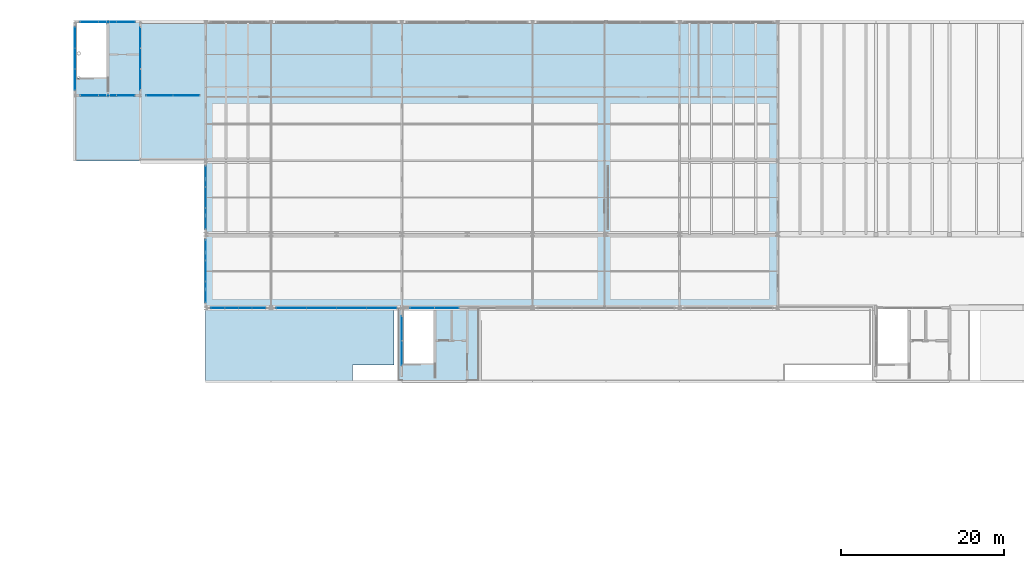
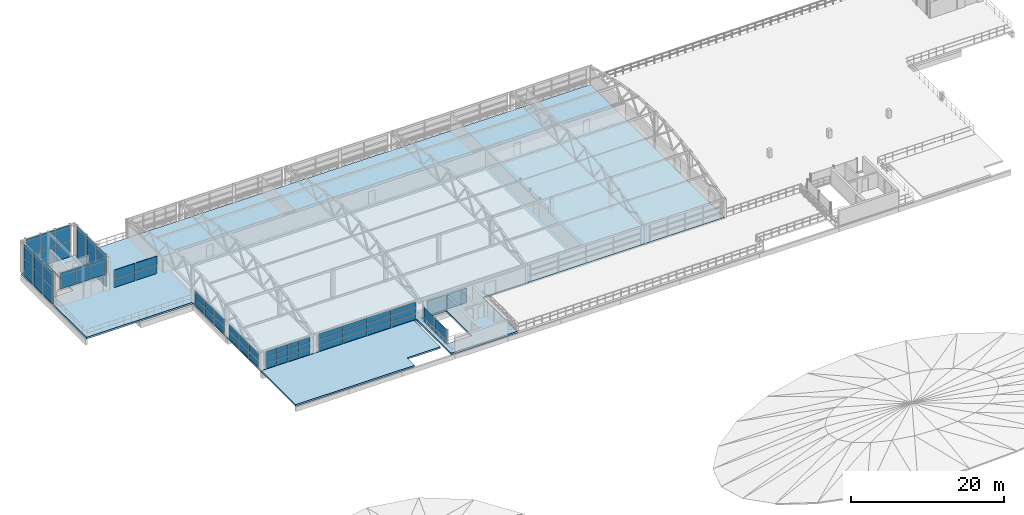
# One storey, part 27 of 50: 62 plates, 2 slabs, 11 elements without a shape of their own.
"""IFC4 building model written with IfcOpenShell, lengths in metres."""

from ifc_helpers import new_model, si_unit, derived_unit, direction, frame, origin, origin_2d, place, context, subcontext, project, spatial, polyline, rectangle, outline, extrude, material, layer, layer_set, type_object, element, aggregate, save


model = new_model("IFC4")

# Units and contexts
model_context = context("Model", 3, precision=1e-05, world=origin(), true_north=direction((0.0, 1.0)))
body_context = subcontext(model_context, "Body", "Model", "MODEL_VIEW")
ifc_project = project(units=[si_unit("LENGTHUNIT", "METRE"), si_unit("AREAUNIT", "SQUARE_METRE"), si_unit("VOLUMEUNIT", "CUBIC_METRE"), si_unit("PLANEANGLEUNIT", "RADIAN"), si_unit("MASSUNIT", "GRAM", prefix="KILO"), si_unit("THERMODYNAMICTEMPERATUREUNIT", "KELVIN"), derived_unit("THERMALTRANSMITTANCEUNIT", [(si_unit("POWERUNIT", "WATT"), 1), (si_unit("AREAUNIT", "SQUARE_METRE"), -1), (si_unit("THERMODYNAMICTEMPERATUREUNIT", "KELVIN"), -1)])], contexts=[model_context])

# Site, building, storey
site_placement = place(None, origin())
site = spatial("IfcSite", under=ifc_project, at=site_placement, CompositionType="ELEMENT")
building_placement = place(site_placement, origin())
building = spatial("IfcBuilding", under=site, at=building_placement, Name="Haiyu Intermodal Mobility Hub", CompositionType="ELEMENT")
storey_placement = place(building_placement, frame((0.0, 0.0, 25.10009765625)))
storey = spatial("IfcBuildingStorey", under=building, at=storey_placement, Name="L06", CompositionType="ELEMENT", Elevation=25.10009765625)

# Curtain wall, plates
ifc_material_1 = material(Name="Low-e laminated insulating glass", Category="glass")
ifc_layer_1 = layer(ifc_material_1, 0.22998046875)
ifc_layer_set_1 = layer_set([ifc_layer_1], Name="Low-e laminated insulating glass")
curtain_wall_type_1 = type_object("IfcCurtainWallType", Name="CW-CW05", PredefinedType="NOTDEFINED", material=ifc_layer_set_1)
curtain_wall_1_placement = place(storey_placement, origin())
curtain_wall_1 = element("IfcCurtainWall", 1, at=curtain_wall_1_placement, inside=storey, type_object=curtain_wall_type_1, Name="Curtain Wall CW-V3W-077", PredefinedType="NOTDEFINED")
ifc_layer_2 = layer(ifc_material_1, 0.035888671875)
ifc_layer_set_2 = layer_set([ifc_layer_2], Name="Low-e laminated insulating glass")
plate_type_1 = type_object("IfcPlateType", Name="PLT-CP01", PredefinedType="CURTAIN_PANEL", material=ifc_layer_set_2)
plate_1_placement = place(storey_placement, frame((38.0, 120.06005859375, 0.035400390625), z_axis=(0.0, 0.0, 1.0), x_axis=(0.0, -1.0, 0.0)))
plate_1 = element("IfcPlate", 2, at=plate_1_placement, type_object=plate_type_1, Name="CW-V3W-077-PN01", PredefinedType="CURTAIN_PANEL", context=body_context, shape_type="SweptSolid", body=[
    extrude(rectangle(XDim=2.469970703125, YDim=0.035888671875, at=origin_2d()), origin(), (0.0, 0.0, 1.0), 1.10498046875),
])
plate_2_placement = place(storey_placement, frame((38.0, 117.5, 0.035400390625), z_axis=(0.0, 0.0, 1.0), x_axis=(0.0, -1.0, 0.0)))
plate_2 = element("IfcPlate", 3, at=plate_2_placement, type_object=plate_type_1, Name="CW-V3W-077-PN03", PredefinedType="CURTAIN_PANEL", context=body_context, shape_type="SweptSolid", body=[
    extrude(rectangle(XDim=2.469970703125, YDim=0.035888671875, at=origin_2d()), origin(), (0.0, 0.0, 1.0), 1.10498046875),
])
plate_3_placement = place(storey_placement, frame((38.0, 114.93994140625, 0.035400390625), z_axis=(0.0, 0.0, 1.0), x_axis=(0.0, -1.0, 0.0)))
plate_3 = element("IfcPlate", 4, at=plate_3_placement, type_object=plate_type_1, Name="CW-V3W-077-PN05", PredefinedType="CURTAIN_PANEL", context=body_context, shape_type="SweptSolid", body=[
    extrude(rectangle(XDim=2.469970703125, YDim=0.035888671875, at=origin_2d()), origin(), (0.0, 0.0, 1.0), 1.10498046875),
])

curtain_wall_2_placement = place(storey_placement, origin())
curtain_wall_2 = element("IfcCurtainWall", 5, at=curtain_wall_2_placement, inside=storey, type_object=curtain_wall_type_1, Name="Curtain Wall CW-V3W-078", PredefinedType="NOTDEFINED")
plate_4_placement = place(storey_placement, frame((38.0, 129.06005859375, 0.035400390625), z_axis=(0.0, 0.0, 1.0), x_axis=(0.0, -1.0, 0.0)))
plate_4 = element("IfcPlate", 6, at=plate_4_placement, type_object=plate_type_1, Name="CW-V3W-078-PN01", PredefinedType="CURTAIN_PANEL", context=body_context, shape_type="SweptSolid", body=[
    extrude(rectangle(XDim=2.469970703125, YDim=0.035888671875, at=origin_2d()), origin(), (0.0, 0.0, 1.0), 1.10498046875),
])
plate_5_placement = place(storey_placement, frame((38.0, 126.5, 0.035400390625), z_axis=(0.0, 0.0, 1.0), x_axis=(0.0, -1.0, 0.0)))
plate_5 = element("IfcPlate", 7, at=plate_5_placement, type_object=plate_type_1, Name="CW-V3W-078-PN03", PredefinedType="CURTAIN_PANEL", context=body_context, shape_type="SweptSolid", body=[
    extrude(rectangle(XDim=2.469970703125, YDim=0.035888671875, at=origin_2d()), origin(), (0.0, 0.0, 1.0), 1.10498046875),
])
plate_6_placement = place(storey_placement, frame((38.0, 123.93994140625, 0.035400390625), z_axis=(0.0, 0.0, 1.0), x_axis=(0.0, -1.0, 0.0)))
plate_6 = element("IfcPlate", 8, at=plate_6_placement, type_object=plate_type_1, Name="CW-V3W-078-PN05", PredefinedType="CURTAIN_PANEL", context=body_context, shape_type="SweptSolid", body=[
    extrude(rectangle(XDim=2.469970703125, YDim=0.035888671875, at=origin_2d()), origin(), (0.0, 0.0, 1.0), 1.10498046875),
])

curtain_wall_3_placement = place(storey_placement, origin())
curtain_wall_3 = element("IfcCurtainWall", 9, at=curtain_wall_3_placement, inside=storey, type_object=curtain_wall_type_1, Name="Curtain Wall CW-V3LINK-187", PredefinedType="NOTDEFINED")
plate_7_placement = place(storey_placement, frame((32.3701171875, 139.0, 0.034423828125), z_axis=(0.0, 0.0, 1.0), x_axis=(1.0, 0.0, 0.0)))
plate_7 = element("IfcPlate", 10, at=plate_7_placement, type_object=plate_type_1, Name="CW-V3LINK-187-PN01", PredefinedType="CURTAIN_PANEL", context=body_context, shape_type="SweptSolid", body=[
    extrude(rectangle(XDim=3.169921875, YDim=0.035888671875, at=origin_2d()), origin(), (0.0, 0.0, 1.0), 1.35498046875),
])
plate_8_placement = place(storey_placement, frame((35.6298828125, 139.0, 0.034423828125), z_axis=(0.0, 0.0, 1.0), x_axis=(1.0, 0.0, 0.0)))
plate_8 = element("IfcPlate", 11, at=plate_8_placement, type_object=plate_type_1, Name="CW-V3LINK-187-PN03", PredefinedType="CURTAIN_PANEL", context=body_context, shape_type="SweptSolid", body=[
    extrude(rectangle(XDim=3.169921875, YDim=0.035888671875, at=origin_2d()), origin(), (0.0, 0.0, 1.0), 1.35498046875),
])

ifc_layer_3 = layer(ifc_material_1, 0.199951171875)
ifc_layer_set_3 = layer_set([ifc_layer_3], Name="Low-e laminated insulating glass")
curtain_wall_type_2 = type_object("IfcCurtainWallType", Name="CW-CW03", PredefinedType="NOTDEFINED", material=ifc_layer_set_3)
curtain_wall_4_placement = place(storey_placement, origin())
curtain_wall_4 = element("IfcCurtainWall", 12, at=curtain_wall_4_placement, inside=storey, type_object=curtain_wall_type_2, Name="Curtain Wall CW-C3N-L06-061", PredefinedType="NOTDEFINED")
ifc_layer_4 = layer(ifc_material_1, 0.0400390625)
ifc_layer_set_4 = layer_set([ifc_layer_4], Name="Low-e laminated insulating glass")
plate_type_2 = type_object("IfcPlateType", Name="PLT-CP03", PredefinedType="CURTAIN_PANEL", material=ifc_layer_set_4)
plate_9_placement = place(storey_placement, frame((28.22705078125, 148.0, 0.035400390625), z_axis=(0.0, 0.0, 1.0), x_axis=(-1.0, 0.0, 0.0)))
plate_9 = element("IfcPlate", 13, at=plate_9_placement, type_object=plate_type_2, Name="CW-C3N-L06-061-PN01", PredefinedType="CURTAIN_PANEL", context=body_context, shape_type="SweptSolid", body=[
    extrude(rectangle(XDim=2.136962890625, YDim=0.0400390625, at=origin_2d()), origin(), (0.0, 0.0, 1.0), 2.5048828125),
])
plate_10_placement = place(storey_placement, frame((26.0, 148.0, 0.035400390625), z_axis=(0.0, 0.0, 1.0), x_axis=(-1.0, 0.0, 0.0)))
plate_10 = element("IfcPlate", 14, at=plate_10_placement, type_object=plate_type_2, Name="CW-C3N-L06-061-PN03", PredefinedType="CURTAIN_PANEL", context=body_context, shape_type="SweptSolid", body=[
    extrude(rectangle(XDim=2.136962890625, YDim=0.0400390625, at=origin_2d()), origin(), (0.0, 0.0, 1.0), 2.5048828125),
])
plate_11_placement = place(storey_placement, frame((23.77294921875, 148.0, 0.035400390625), z_axis=(0.0, 0.0, 1.0), x_axis=(-1.0, 0.0, 0.0)))
plate_11 = element("IfcPlate", 15, at=plate_11_placement, type_object=plate_type_2, Name="CW-C3N-L06-061-PN05", PredefinedType="CURTAIN_PANEL", context=body_context, shape_type="SweptSolid", body=[
    extrude(rectangle(XDim=2.136962890625, YDim=0.0400390625, at=origin_2d()), origin(), (0.0, 0.0, 1.0), 2.5048828125),
])

curtain_wall_5_placement = place(storey_placement, origin())
curtain_wall_5 = element("IfcCurtainWall", 16, at=curtain_wall_5_placement, inside=storey, type_object=curtain_wall_type_2, Name="Curtain Wall CW-C3S-L06-062", PredefinedType="NOTDEFINED")
plate_12_placement = place(storey_placement, frame((22.0, 146.06005859375, 0.035400390625), z_axis=(0.0, 0.0, 1.0), x_axis=(0.0, -1.0, 0.0)))
plate_12 = element("IfcPlate", 17, at=plate_12_placement, type_object=plate_type_2, Name="CW-C3S-L06-062-PN01", PredefinedType="CURTAIN_PANEL", context=body_context, shape_type="SweptSolid", body=[
    extrude(rectangle(XDim=2.469970703125, YDim=0.0400390625, at=origin_2d()), origin(), (0.0, 0.0, 1.0), 2.5048828125),
])
plate_13_placement = place(storey_placement, frame((22.0, 143.5, 0.035400390625), z_axis=(0.0, 0.0, 1.0), x_axis=(0.0, -1.0, 0.0)))
plate_13 = element("IfcPlate", 18, at=plate_13_placement, type_object=plate_type_2, Name="CW-C3S-L06-062-PN03", PredefinedType="CURTAIN_PANEL", context=body_context, shape_type="SweptSolid", body=[
    extrude(rectangle(XDim=2.469970703125, YDim=0.0400390625, at=origin_2d()), origin(), (0.0, 0.0, 1.0), 2.5048828125),
])
plate_14_placement = place(storey_placement, frame((22.0, 140.93994140625, 0.035400390625), z_axis=(0.0, 0.0, 1.0), x_axis=(0.0, -1.0, 0.0)))
plate_14 = element("IfcPlate", 19, at=plate_14_placement, type_object=plate_type_2, Name="CW-C3S-L06-062-PN05", PredefinedType="CURTAIN_PANEL", context=body_context, shape_type="SweptSolid", body=[
    extrude(rectangle(XDim=2.469970703125, YDim=0.0400390625, at=origin_2d()), origin(), (0.0, 0.0, 1.0), 2.5048828125),
])

curtain_wall_6_placement = place(storey_placement, origin())
curtain_wall_6 = element("IfcCurtainWall", 20, at=curtain_wall_6_placement, inside=storey, type_object=curtain_wall_type_1, Name="Curtain Wall CW-V3S-155", PredefinedType="NOTDEFINED")
plate_15_placement = place(storey_placement, frame((39.4951171875, 113.0, 0.034912109375), z_axis=(0.0, 0.0, 1.0), x_axis=(1.0, 0.0, 0.0)))
plate_15 = element("IfcPlate", 21, at=plate_15_placement, type_object=plate_type_2, Name="CW-V3S-155-PN01", PredefinedType="CURTAIN_PANEL", context=body_context, shape_type="SweptSolid", body=[
    extrude(rectangle(XDim=1.580078125, YDim=0.0400390625, at=origin_2d()), origin(), (0.0, 0.0, 1.0), 0.8798828125),
])
plate_16_placement = place(storey_placement, frame((39.4951171875, 113.0, 0.98486328125), z_axis=(0.0, 0.0, 1.0), x_axis=(1.0, 0.0, 0.0)))
plate_16 = element("IfcPlate", 22, at=plate_16_placement, type_object=plate_type_2, Name="CW-V3S-155-PN02", PredefinedType="CURTAIN_PANEL", context=body_context, shape_type="SweptSolid", body=[
    extrude(rectangle(XDim=1.580078125, YDim=0.0400390625, at=origin_2d()), origin(), (0.0, 0.0, 1.0), 0.8798828125),
])
plate_17_placement = place(storey_placement, frame((41.1650390625, 113.0, 0.034912109375), z_axis=(0.0, 0.0, 1.0), x_axis=(1.0, 0.0, 0.0)))
plate_17 = element("IfcPlate", 23, at=plate_17_placement, type_object=plate_type_2, Name="CW-V3S-155-PN04", PredefinedType="CURTAIN_PANEL", context=body_context, shape_type="SweptSolid", body=[
    extrude(rectangle(XDim=1.580078125, YDim=0.0400390625, at=origin_2d()), origin(), (0.0, 0.0, 1.0), 0.8798828125),
])
plate_18_placement = place(storey_placement, frame((41.1650390625, 113.0, 0.98486328125), z_axis=(0.0, 0.0, 1.0), x_axis=(1.0, 0.0, 0.0)))
plate_18 = element("IfcPlate", 24, at=plate_18_placement, type_object=plate_type_2, Name="CW-V3S-155-PN05", PredefinedType="CURTAIN_PANEL", context=body_context, shape_type="SweptSolid", body=[
    extrude(rectangle(XDim=1.580078125, YDim=0.0400390625, at=origin_2d()), origin(), (0.0, 0.0, 1.0), 0.8798828125),
])
plate_19_placement = place(storey_placement, frame((42.8349609375, 113.0, 0.034912109375), z_axis=(0.0, 0.0, 1.0), x_axis=(1.0, 0.0, 0.0)))
plate_19 = element("IfcPlate", 25, at=plate_19_placement, type_object=plate_type_2, Name="CW-V3S-155-PN07", PredefinedType="CURTAIN_PANEL", context=body_context, shape_type="SweptSolid", body=[
    extrude(rectangle(XDim=1.580078125, YDim=0.0400390625, at=origin_2d()), origin(), (0.0, 0.0, 1.0), 0.8798828125),
])
plate_20_placement = place(storey_placement, frame((42.8349609375, 113.0, 0.98486328125), z_axis=(0.0, 0.0, 1.0), x_axis=(1.0, 0.0, 0.0)))
plate_20 = element("IfcPlate", 26, at=plate_20_placement, type_object=plate_type_2, Name="CW-V3S-155-PN08", PredefinedType="CURTAIN_PANEL", context=body_context, shape_type="SweptSolid", body=[
    extrude(rectangle(XDim=1.580078125, YDim=0.0400390625, at=origin_2d()), origin(), (0.0, 0.0, 1.0), 0.8798828125),
])
plate_21_placement = place(storey_placement, frame((44.5048828125, 113.0, 0.034912109375), z_axis=(0.0, 0.0, 1.0), x_axis=(1.0, 0.0, 0.0)))
plate_21 = element("IfcPlate", 27, at=plate_21_placement, type_object=plate_type_2, Name="CW-V3S-155-PN10", PredefinedType="CURTAIN_PANEL", context=body_context, shape_type="SweptSolid", body=[
    extrude(rectangle(XDim=1.580078125, YDim=0.0400390625, at=origin_2d()), origin(), (0.0, 0.0, 1.0), 0.8798828125),
])
plate_22_placement = place(storey_placement, frame((44.5048828125, 113.0, 0.98486328125), z_axis=(0.0, 0.0, 1.0), x_axis=(1.0, 0.0, 0.0)))
plate_22 = element("IfcPlate", 28, at=plate_22_placement, type_object=plate_type_2, Name="CW-V3S-155-PN11", PredefinedType="CURTAIN_PANEL", context=body_context, shape_type="SweptSolid", body=[
    extrude(rectangle(XDim=1.580078125, YDim=0.0400390625, at=origin_2d()), origin(), (0.0, 0.0, 1.0), 0.8798828125),
])

curtain_wall_7_placement = place(storey_placement, origin())
curtain_wall_7 = element("IfcCurtainWall", 29, at=curtain_wall_7_placement, inside=storey, type_object=curtain_wall_type_1, Name="Curtain Wall CW-V3S-157", PredefinedType="NOTDEFINED")
plate_23_placement = place(storey_placement, frame((48.4951171875, 113.0, 0.034912109375), z_axis=(0.0, 0.0, 1.0), x_axis=(1.0, 0.0, 0.0)))
plate_23 = element("IfcPlate", 30, at=plate_23_placement, type_object=plate_type_2, Name="CW-V3S-157-PN01", PredefinedType="CURTAIN_PANEL", context=body_context, shape_type="SweptSolid", body=[
    extrude(rectangle(XDim=3.580078125, YDim=0.0400390625, at=origin_2d()), origin(), (0.0, 0.0, 1.0), 0.8798828125),
])
plate_24_placement = place(storey_placement, frame((48.4951171875, 113.0, 0.98486328125), z_axis=(0.0, 0.0, 1.0), x_axis=(1.0, 0.0, 0.0)))
plate_24 = element("IfcPlate", 31, at=plate_24_placement, type_object=plate_type_2, Name="CW-V3S-157-PN02", PredefinedType="CURTAIN_PANEL", context=body_context, shape_type="SweptSolid", body=[
    extrude(rectangle(XDim=3.580078125, YDim=0.0400390625, at=origin_2d()), origin(), (0.0, 0.0, 1.0), 0.8798828125),
])
plate_25_placement = place(storey_placement, frame((52.1650390625, 113.0, 0.034912109375), z_axis=(0.0, 0.0, 1.0), x_axis=(1.0, 0.0, 0.0)))
plate_25 = element("IfcPlate", 32, at=plate_25_placement, type_object=plate_type_2, Name="CW-V3S-157-PN04", PredefinedType="CURTAIN_PANEL", context=body_context, shape_type="SweptSolid", body=[
    extrude(rectangle(XDim=3.580078125, YDim=0.0400390625, at=origin_2d()), origin(), (0.0, 0.0, 1.0), 0.8798828125),
])
plate_26_placement = place(storey_placement, frame((52.1650390625, 113.0, 0.98486328125), z_axis=(0.0, 0.0, 1.0), x_axis=(1.0, 0.0, 0.0)))
plate_26 = element("IfcPlate", 33, at=plate_26_placement, type_object=plate_type_2, Name="CW-V3S-157-PN05", PredefinedType="CURTAIN_PANEL", context=body_context, shape_type="SweptSolid", body=[
    extrude(rectangle(XDim=3.580078125, YDim=0.0400390625, at=origin_2d()), origin(), (0.0, 0.0, 1.0), 0.8798828125),
])
plate_27_placement = place(storey_placement, frame((55.8349609375, 113.0, 0.034912109375), z_axis=(0.0, 0.0, 1.0), x_axis=(1.0, 0.0, 0.0)))
plate_27 = element("IfcPlate", 34, at=plate_27_placement, type_object=plate_type_2, Name="CW-V3S-157-PN07", PredefinedType="CURTAIN_PANEL", context=body_context, shape_type="SweptSolid", body=[
    extrude(rectangle(XDim=3.580078125, YDim=0.0400390625, at=origin_2d()), origin(), (0.0, 0.0, 1.0), 0.8798828125),
])
plate_28_placement = place(storey_placement, frame((55.8349609375, 113.0, 0.98486328125), z_axis=(0.0, 0.0, 1.0), x_axis=(1.0, 0.0, 0.0)))
plate_28 = element("IfcPlate", 35, at=plate_28_placement, type_object=plate_type_2, Name="CW-V3S-157-PN08", PredefinedType="CURTAIN_PANEL", context=body_context, shape_type="SweptSolid", body=[
    extrude(rectangle(XDim=3.580078125, YDim=0.0400390625, at=origin_2d()), origin(), (0.0, 0.0, 1.0), 0.8798828125),
])
plate_29_placement = place(storey_placement, frame((59.5048828125, 113.0, 0.034912109375), z_axis=(0.0, 0.0, 1.0), x_axis=(1.0, 0.0, 0.0)))
plate_29 = element("IfcPlate", 36, at=plate_29_placement, type_object=plate_type_2, Name="CW-V3S-157-PN10", PredefinedType="CURTAIN_PANEL", context=body_context, shape_type="SweptSolid", body=[
    extrude(rectangle(XDim=3.580078125, YDim=0.0400390625, at=origin_2d()), origin(), (0.0, 0.0, 1.0), 0.8798828125),
])
plate_30_placement = place(storey_placement, frame((59.5048828125, 113.0, 0.98486328125), z_axis=(0.0, 0.0, 1.0), x_axis=(1.0, 0.0, 0.0)))
plate_30 = element("IfcPlate", 37, at=plate_30_placement, type_object=plate_type_2, Name="CW-V3S-157-PN11", PredefinedType="CURTAIN_PANEL", context=body_context, shape_type="SweptSolid", body=[
    extrude(rectangle(XDim=3.580078125, YDim=0.0400390625, at=origin_2d()), origin(), (0.0, 0.0, 1.0), 0.8798828125),
])

curtain_wall_8_placement = place(storey_placement, origin())
curtain_wall_8 = element("IfcCurtainWall", 38, at=curtain_wall_8_placement, inside=storey, type_object=curtain_wall_type_2, Name="Curtain Wall CW-CGLZ-C3-1", PredefinedType="NOTDEFINED")
plate_31_placement = place(storey_placement, frame((30.0, 140.93994140625, 0.03466796875), z_axis=(0.0, 0.0, 1.0), x_axis=(0.0, 1.0, 0.0)))
plate_31 = element("IfcPlate", 39, at=plate_31_placement, type_object=plate_type_2, Name="CW-CGLZ-C3-1-PN01", PredefinedType="CURTAIN_PANEL", context=body_context, shape_type="SweptSolid", body=[
    extrude(rectangle(XDim=2.469970703125, YDim=0.0400390625, at=origin_2d()), origin(), (0.0, 0.0, 1.0), 5.110107421875),
])
plate_32_placement = place(storey_placement, frame((30.0, 143.5, 0.03466796875), z_axis=(0.0, 0.0, 1.0), x_axis=(0.0, 1.0, 0.0)))
plate_32 = element("IfcPlate", 40, at=plate_32_placement, type_object=plate_type_2, Name="CW-CGLZ-C3-1-PN02", PredefinedType="CURTAIN_PANEL", context=body_context, shape_type="SweptSolid", body=[
    extrude(rectangle(XDim=2.469970703125, YDim=0.0400390625, at=origin_2d()), origin(), (0.0, 0.0, 1.0), 5.110107421875),
])
plate_33_placement = place(storey_placement, frame((30.0, 146.06005859375, 0.03466796875), z_axis=(0.0, 0.0, 1.0), x_axis=(0.0, 1.0, 0.0)))
plate_33 = element("IfcPlate", 41, at=plate_33_placement, type_object=plate_type_2, Name="CW-CGLZ-C3-1-PN03", PredefinedType="CURTAIN_PANEL", context=body_context, shape_type="SweptSolid", body=[
    extrude(rectangle(XDim=2.469970703125, YDim=0.0400390625, at=origin_2d()), origin(), (0.0, 0.0, 1.0), 5.110107421875),
])
aggregate(curtain_wall_8, [plate_31, plate_32, plate_33])

curtain_wall_9_placement = place(storey_placement, origin())
curtain_wall_9 = element("IfcCurtainWall", 42, at=curtain_wall_9_placement, inside=storey, type_object=curtain_wall_type_2, Name="Curtain Wall CW-CGLZ-C3-2", PredefinedType="NOTDEFINED")
plate_34_placement = place(storey_placement, frame((23.77294921875, 139.0, 2.61474609375), z_axis=(0.0, 0.0, 1.0), x_axis=(1.0, 0.0, 0.0)))
plate_34 = element("IfcPlate", 43, at=plate_34_placement, type_object=plate_type_2, Name="CW-CGLZ-C3-2-PN01", PredefinedType="CURTAIN_PANEL", context=body_context, shape_type="SweptSolid", body=[
    extrude(rectangle(XDim=2.136962890625, YDim=0.0400390625, at=origin_2d()), origin(), (0.0, 0.0, 1.0), 2.530029296875),
])
plate_35_placement = place(storey_placement, frame((26.0, 139.0, 2.61474609375), z_axis=(0.0, 0.0, 1.0), x_axis=(1.0, 0.0, 0.0)))
plate_35 = element("IfcPlate", 44, at=plate_35_placement, type_object=plate_type_2, Name="CW-CGLZ-C3-2-PN02", PredefinedType="CURTAIN_PANEL", context=body_context, shape_type="SweptSolid", body=[
    extrude(rectangle(XDim=2.136962890625, YDim=0.0400390625, at=origin_2d()), origin(), (0.0, 0.0, 1.0), 2.530029296875),
])
plate_36_placement = place(storey_placement, frame((28.22705078125, 139.0, 2.61474609375), z_axis=(0.0, 0.0, 1.0), x_axis=(1.0, 0.0, 0.0)))
plate_36 = element("IfcPlate", 45, at=plate_36_placement, type_object=plate_type_2, Name="CW-CGLZ-C3-2-PN03", PredefinedType="CURTAIN_PANEL", context=body_context, shape_type="SweptSolid", body=[
    extrude(rectangle(XDim=2.136962890625, YDim=0.0400390625, at=origin_2d()), origin(), (0.0, 0.0, 1.0), 2.530029296875),
])
aggregate(curtain_wall_9, [plate_34, plate_35, plate_36])

curtain_wall_10_placement = place(storey_placement, origin())
curtain_wall_10 = element("IfcCurtainWall", 46, at=curtain_wall_10_placement, inside=storey, type_object=curtain_wall_type_2, Name="Curtain Wall CW-CPAR-C5-N", PredefinedType="NOTDEFINED")
plate_37_placement = place(storey_placement, frame((67.5048828125, 113.0, 0.034423828125), z_axis=(0.0, 0.0, 1.0), x_axis=(-1.0, 0.0, 0.0)))
plate_37 = element("IfcPlate", 47, at=plate_37_placement, type_object=plate_type_2, Name="CW-CPAR-C5-N-PN01", PredefinedType="CURTAIN_PANEL", context=body_context, shape_type="SweptSolid", body=[
    extrude(rectangle(XDim=2.919921875, YDim=0.0400390625, at=origin_2d()), origin(), (0.0, 0.0, 1.0), 2.31103515625),
])
plate_38_placement = place(storey_placement, frame((64.4951171875, 113.0, 0.034423828125), z_axis=(0.0, 0.0, 1.0), x_axis=(-1.0, 0.0, 0.0)))
plate_38 = element("IfcPlate", 48, at=plate_38_placement, type_object=plate_type_2, Name="CW-CPAR-C5-N-PN02", PredefinedType="CURTAIN_PANEL", context=body_context, shape_type="SweptSolid", body=[
    extrude(rectangle(XDim=2.919921875, YDim=0.0400390625, at=origin_2d()), origin(), (0.0, 0.0, 1.0), 2.31103515625),
])
aggregate(curtain_wall_10, [plate_37, plate_38])

curtain_wall_11_placement = place(storey_placement, origin())
curtain_wall_11 = element("IfcCurtainWall", 49, at=curtain_wall_11_placement, inside=storey, type_object=curtain_wall_type_2, Name="Curtain Wall CW-CPAR-C5-W", PredefinedType="NOTDEFINED")
plate_39_placement = place(storey_placement, frame((62.0, 110.491943359375, 0.034423828125), z_axis=(0.0, 0.0, 1.0), x_axis=(0.0, -1.0, 0.0)))
plate_39 = element("IfcPlate", 50, at=plate_39_placement, type_object=plate_type_2, Name="CW-CPAR-C5-W-PN01", PredefinedType="CURTAIN_PANEL", context=body_context, shape_type="SweptSolid", body=[
    extrude(rectangle(XDim=2.945068359375, YDim=0.0400390625, at=origin_2d()), origin(), (0.0, 0.0, 1.0), 2.31103515625),
])
plate_40_placement = place(storey_placement, frame((62.0, 107.4580078125, 0.034423828125), z_axis=(0.0, 0.0, 1.0), x_axis=(0.0, -1.0, 0.0)))
plate_40 = element("IfcPlate", 51, at=plate_40_placement, type_object=plate_type_2, Name="CW-CPAR-C5-W-PN02", PredefinedType="CURTAIN_PANEL", context=body_context, shape_type="SweptSolid", body=[
    extrude(rectangle(XDim=2.945068359375, YDim=0.0400390625, at=origin_2d()), origin(), (0.0, 0.0, 1.0), 2.31103515625),
])
aggregate(curtain_wall_11, [plate_39, plate_40])

# Plate
ifc_layer_5 = layer(ifc_material_1, 0.0439453125)
ifc_layer_set_5 = layer_set([ifc_layer_5], Name="Low-e laminated insulating glass")
plate_type_3 = type_object("IfcPlateType", Name="PLT-CP04", PredefinedType="CURTAIN_PANEL", material=ifc_layer_set_5)
plate_41_placement = place(storey_placement, frame((28.22705078125, 148.0, 2.609375), z_axis=(0.0, 0.0, 1.0), x_axis=(-1.0, 0.0, 0.0)))
plate_41 = element("IfcPlate", 52, at=plate_41_placement, type_object=plate_type_3, Name="CW-C3N-L06-061-PN02", PredefinedType="CURTAIN_PANEL", context=body_context, shape_type="SweptSolid", body=[
    extrude(rectangle(XDim=2.136962890625, YDim=0.0439453125, at=origin_2d()), origin(), (0.0, 0.0, 1.0), 2.5048828125),
])

plate_42_placement = place(storey_placement, frame((26.0, 148.0, 2.609375), z_axis=(0.0, 0.0, 1.0), x_axis=(-1.0, 0.0, 0.0)))
plate_42 = element("IfcPlate", 53, at=plate_42_placement, type_object=plate_type_3, Name="CW-C3N-L06-061-PN04", PredefinedType="CURTAIN_PANEL", context=body_context, shape_type="SweptSolid", body=[
    extrude(rectangle(XDim=2.136962890625, YDim=0.0439453125, at=origin_2d()), origin(), (0.0, 0.0, 1.0), 2.5048828125),
])

plate_43_placement = place(storey_placement, frame((23.77294921875, 148.0, 2.609375), z_axis=(0.0, 0.0, 1.0), x_axis=(-1.0, 0.0, 0.0)))
plate_43 = element("IfcPlate", 54, at=plate_43_placement, type_object=plate_type_3, Name="CW-C3N-L06-061-PN06", PredefinedType="CURTAIN_PANEL", context=body_context, shape_type="SweptSolid", body=[
    extrude(rectangle(XDim=2.136962890625, YDim=0.0439453125, at=origin_2d()), origin(), (0.0, 0.0, 1.0), 2.5048828125),
])

aggregate(curtain_wall_4, [plate_9, plate_41, plate_10, plate_42, plate_11, plate_43])

plate_44_placement = place(storey_placement, frame((22.0, 146.06005859375, 2.609375), z_axis=(0.0, 0.0, 1.0), x_axis=(0.0, -1.0, 0.0)))
plate_44 = element("IfcPlate", 55, at=plate_44_placement, type_object=plate_type_3, Name="CW-C3S-L06-062-PN02", PredefinedType="CURTAIN_PANEL", context=body_context, shape_type="SweptSolid", body=[
    extrude(rectangle(XDim=2.469970703125, YDim=0.0439453125, at=origin_2d()), origin(), (0.0, 0.0, 1.0), 2.5048828125),
])

plate_45_placement = place(storey_placement, frame((22.0, 143.5, 2.609375), z_axis=(0.0, 0.0, 1.0), x_axis=(0.0, -1.0, 0.0)))
plate_45 = element("IfcPlate", 56, at=plate_45_placement, type_object=plate_type_3, Name="CW-C3S-L06-062-PN04", PredefinedType="CURTAIN_PANEL", context=body_context, shape_type="SweptSolid", body=[
    extrude(rectangle(XDim=2.469970703125, YDim=0.0439453125, at=origin_2d()), origin(), (0.0, 0.0, 1.0), 2.5048828125),
])

plate_46_placement = place(storey_placement, frame((22.0, 140.93994140625, 2.609375), z_axis=(0.0, 0.0, 1.0), x_axis=(0.0, -1.0, 0.0)))
plate_46 = element("IfcPlate", 57, at=plate_46_placement, type_object=plate_type_3, Name="CW-C3S-L06-062-PN06", PredefinedType="CURTAIN_PANEL", context=body_context, shape_type="SweptSolid", body=[
    extrude(rectangle(XDim=2.469970703125, YDim=0.0439453125, at=origin_2d()), origin(), (0.0, 0.0, 1.0), 2.5048828125),
])

aggregate(curtain_wall_5, [plate_12, plate_44, plate_13, plate_45, plate_14, plate_46])

plate_47_placement = place(storey_placement, frame((38.0, 120.06005859375, 1.20947265625), z_axis=(0.0, 0.0, 1.0), x_axis=(0.0, -1.0, 0.0)))
plate_47 = element("IfcPlate", 58, at=plate_47_placement, type_object=plate_type_3, Name="CW-V3W-077-PN02", PredefinedType="CURTAIN_PANEL", context=body_context, shape_type="SweptSolid", body=[
    extrude(rectangle(XDim=2.469970703125, YDim=0.0439453125, at=origin_2d()), origin(), (0.0, 0.0, 1.0), 1.10498046875),
])

plate_48_placement = place(storey_placement, frame((38.0, 117.5, 1.20947265625), z_axis=(0.0, 0.0, 1.0), x_axis=(0.0, -1.0, 0.0)))
plate_48 = element("IfcPlate", 59, at=plate_48_placement, type_object=plate_type_3, Name="CW-V3W-077-PN04", PredefinedType="CURTAIN_PANEL", context=body_context, shape_type="SweptSolid", body=[
    extrude(rectangle(XDim=2.469970703125, YDim=0.0439453125, at=origin_2d()), origin(), (0.0, 0.0, 1.0), 1.10498046875),
])

plate_49_placement = place(storey_placement, frame((38.0, 114.93994140625, 1.20947265625), z_axis=(0.0, 0.0, 1.0), x_axis=(0.0, -1.0, 0.0)))
plate_49 = element("IfcPlate", 60, at=plate_49_placement, type_object=plate_type_3, Name="CW-V3W-077-PN06", PredefinedType="CURTAIN_PANEL", context=body_context, shape_type="SweptSolid", body=[
    extrude(rectangle(XDim=2.469970703125, YDim=0.0439453125, at=origin_2d()), origin(), (0.0, 0.0, 1.0), 1.10498046875),
])

aggregate(curtain_wall_1, [plate_1, plate_47, plate_2, plate_48, plate_3, plate_49])

plate_50_placement = place(storey_placement, frame((38.0, 129.06005859375, 1.20947265625), z_axis=(0.0, 0.0, 1.0), x_axis=(0.0, -1.0, 0.0)))
plate_50 = element("IfcPlate", 61, at=plate_50_placement, type_object=plate_type_3, Name="CW-V3W-078-PN02", PredefinedType="CURTAIN_PANEL", context=body_context, shape_type="SweptSolid", body=[
    extrude(rectangle(XDim=2.469970703125, YDim=0.0439453125, at=origin_2d()), origin(), (0.0, 0.0, 1.0), 1.10498046875),
])

plate_51_placement = place(storey_placement, frame((38.0, 126.5, 1.20947265625), z_axis=(0.0, 0.0, 1.0), x_axis=(0.0, -1.0, 0.0)))
plate_51 = element("IfcPlate", 62, at=plate_51_placement, type_object=plate_type_3, Name="CW-V3W-078-PN04", PredefinedType="CURTAIN_PANEL", context=body_context, shape_type="SweptSolid", body=[
    extrude(rectangle(XDim=2.469970703125, YDim=0.0439453125, at=origin_2d()), origin(), (0.0, 0.0, 1.0), 1.10498046875),
])

plate_52_placement = place(storey_placement, frame((38.0, 123.93994140625, 1.20947265625), z_axis=(0.0, 0.0, 1.0), x_axis=(0.0, -1.0, 0.0)))
plate_52 = element("IfcPlate", 63, at=plate_52_placement, type_object=plate_type_3, Name="CW-V3W-078-PN06", PredefinedType="CURTAIN_PANEL", context=body_context, shape_type="SweptSolid", body=[
    extrude(rectangle(XDim=2.469970703125, YDim=0.0439453125, at=origin_2d()), origin(), (0.0, 0.0, 1.0), 1.10498046875),
])

aggregate(curtain_wall_2, [plate_4, plate_50, plate_5, plate_51, plate_6, plate_52])

plate_53_placement = place(storey_placement, frame((39.4951171875, 113.0, 1.93505859375), z_axis=(0.0, 0.0, 1.0), x_axis=(1.0, 0.0, 0.0)))
plate_53 = element("IfcPlate", 64, at=plate_53_placement, type_object=plate_type_3, Name="CW-V3S-155-PN03", PredefinedType="CURTAIN_PANEL", context=body_context, shape_type="SweptSolid", body=[
    extrude(rectangle(XDim=1.580078125, YDim=0.0439453125, at=origin_2d()), origin(), (0.0, 0.0, 1.0), 0.8798828125),
])

plate_54_placement = place(storey_placement, frame((41.1650390625, 113.0, 1.93505859375), z_axis=(0.0, 0.0, 1.0), x_axis=(1.0, 0.0, 0.0)))
plate_54 = element("IfcPlate", 65, at=plate_54_placement, type_object=plate_type_3, Name="CW-V3S-155-PN06", PredefinedType="CURTAIN_PANEL", context=body_context, shape_type="SweptSolid", body=[
    extrude(rectangle(XDim=1.580078125, YDim=0.0439453125, at=origin_2d()), origin(), (0.0, 0.0, 1.0), 0.8798828125),
])

plate_55_placement = place(storey_placement, frame((42.8349609375, 113.0, 1.93505859375), z_axis=(0.0, 0.0, 1.0), x_axis=(1.0, 0.0, 0.0)))
plate_55 = element("IfcPlate", 66, at=plate_55_placement, type_object=plate_type_3, Name="CW-V3S-155-PN09", PredefinedType="CURTAIN_PANEL", context=body_context, shape_type="SweptSolid", body=[
    extrude(rectangle(XDim=1.580078125, YDim=0.0439453125, at=origin_2d()), origin(), (0.0, 0.0, 1.0), 0.8798828125),
])

plate_56_placement = place(storey_placement, frame((44.5048828125, 113.0, 1.93505859375), z_axis=(0.0, 0.0, 1.0), x_axis=(1.0, 0.0, 0.0)))
plate_56 = element("IfcPlate", 67, at=plate_56_placement, type_object=plate_type_3, Name="CW-V3S-155-PN12", PredefinedType="CURTAIN_PANEL", context=body_context, shape_type="SweptSolid", body=[
    extrude(rectangle(XDim=1.580078125, YDim=0.0439453125, at=origin_2d()), origin(), (0.0, 0.0, 1.0), 0.8798828125),
])

aggregate(curtain_wall_6, [plate_15, plate_16, plate_53, plate_17, plate_18, plate_54, plate_19, plate_20, plate_55, plate_21, plate_22, plate_56])

plate_57_placement = place(storey_placement, frame((48.4951171875, 113.0, 1.93505859375), z_axis=(0.0, 0.0, 1.0), x_axis=(1.0, 0.0, 0.0)))
plate_57 = element("IfcPlate", 68, at=plate_57_placement, type_object=plate_type_3, Name="CW-V3S-157-PN03", PredefinedType="CURTAIN_PANEL", context=body_context, shape_type="SweptSolid", body=[
    extrude(rectangle(XDim=3.580078125, YDim=0.0439453125, at=origin_2d()), origin(), (0.0, 0.0, 1.0), 0.8798828125),
])

plate_58_placement = place(storey_placement, frame((52.1650390625, 113.0, 1.93505859375), z_axis=(0.0, 0.0, 1.0), x_axis=(1.0, 0.0, 0.0)))
plate_58 = element("IfcPlate", 69, at=plate_58_placement, type_object=plate_type_3, Name="CW-V3S-157-PN06", PredefinedType="CURTAIN_PANEL", context=body_context, shape_type="SweptSolid", body=[
    extrude(rectangle(XDim=3.580078125, YDim=0.0439453125, at=origin_2d()), origin(), (0.0, 0.0, 1.0), 0.8798828125),
])

plate_59_placement = place(storey_placement, frame((55.8349609375, 113.0, 1.93505859375), z_axis=(0.0, 0.0, 1.0), x_axis=(1.0, 0.0, 0.0)))
plate_59 = element("IfcPlate", 70, at=plate_59_placement, type_object=plate_type_3, Name="CW-V3S-157-PN09", PredefinedType="CURTAIN_PANEL", context=body_context, shape_type="SweptSolid", body=[
    extrude(rectangle(XDim=3.580078125, YDim=0.0439453125, at=origin_2d()), origin(), (0.0, 0.0, 1.0), 0.8798828125),
])

plate_60_placement = place(storey_placement, frame((59.5048828125, 113.0, 1.93505859375), z_axis=(0.0, 0.0, 1.0), x_axis=(1.0, 0.0, 0.0)))
plate_60 = element("IfcPlate", 71, at=plate_60_placement, type_object=plate_type_3, Name="CW-V3S-157-PN12", PredefinedType="CURTAIN_PANEL", context=body_context, shape_type="SweptSolid", body=[
    extrude(rectangle(XDim=3.580078125, YDim=0.0439453125, at=origin_2d()), origin(), (0.0, 0.0, 1.0), 0.8798828125),
])

aggregate(curtain_wall_7, [plate_23, plate_24, plate_57, plate_25, plate_26, plate_58, plate_27, plate_28, plate_59, plate_29, plate_30, plate_60])

plate_61_placement = place(storey_placement, frame((32.3701171875, 139.0, 1.45947265625), z_axis=(0.0, 0.0, 1.0), x_axis=(1.0, 0.0, 0.0)))
plate_61 = element("IfcPlate", 72, at=plate_61_placement, type_object=plate_type_3, Name="CW-V3LINK-187-PN02", PredefinedType="CURTAIN_PANEL", context=body_context, shape_type="SweptSolid", body=[
    extrude(rectangle(XDim=3.169921875, YDim=0.0439453125, at=origin_2d()), origin(), (0.0, 0.0, 1.0), 1.35498046875),
])

plate_62_placement = place(storey_placement, frame((35.6298828125, 139.0, 1.45947265625), z_axis=(0.0, 0.0, 1.0), x_axis=(1.0, 0.0, 0.0)))
plate_62 = element("IfcPlate", 73, at=plate_62_placement, type_object=plate_type_3, Name="CW-V3LINK-187-PN04", PredefinedType="CURTAIN_PANEL", context=body_context, shape_type="SweptSolid", body=[
    extrude(rectangle(XDim=3.169921875, YDim=0.0439453125, at=origin_2d()), origin(), (0.0, 0.0, 1.0), 1.35498046875),
])

aggregate(curtain_wall_3, [plate_7, plate_61, plate_8, plate_62])

# Slabs
ifc_material_2 = material(Name="Concrete C40", Category="concrete")
ifc_layer_6 = layer(ifc_material_2, 0.280029296875)
ifc_layer_set_6 = layer_set([ifc_layer_6], Name="Concrete C40")
slab_type_1 = type_object("IfcSlabType", Name="SLB-SL08", PredefinedType="FLOOR", material=ifc_layer_set_6)
slab_1_placement = place(storey_placement, frame((0.0, 0.0, -0.280029296875)))
element("IfcSlab", 74, at=slab_1_placement, inside=storey, type_object=slab_type_1, Name="L06 Indoor Sports Pavilion Floor Slab", PredefinedType="FLOOR", context=body_context, shape_type="SweptSolid", body=[
    extrude(outline(polyline([(22.0, 131.0), (38.0, 131.0), (38.0, 113.0), (61.5, 113.0), (61.5, 104.02001953125), (71.5, 104.02001953125), (71.5, 113.0), (107.97998046875, 113.0), (107.97998046875, 148.0), (22.0, 148.0), (22.0, 131.0)]), holes=[polyline([(22.219970703125, 141.14990234375), (25.85009765625, 141.14990234375), (25.85009765625, 147.949951171875), (22.219970703125, 147.949951171875), (22.219970703125, 141.14990234375)]), polyline([(62.219970703125, 106.14990234375), (65.85009765625, 106.14990234375), (65.85009765625, 112.949951171875), (62.219970703125, 112.949951171875), (62.219970703125, 106.14990234375)])]), origin(), (0.0, 0.0, 1.0), 0.280029296875),
])
ifc_layer_7 = layer(ifc_material_2, 0.179931640625)
ifc_layer_set_7 = layer_set([ifc_layer_7], Name="Concrete C40")
slab_type_2 = type_object("IfcSlabType", Name="SLB-SL12", PredefinedType="ROOF", material=ifc_layer_set_7)
slab_2_placement = place(storey_placement, frame((0.0, 0.0, -0.255126953125)))
element("IfcSlab", 75, at=slab_2_placement, inside=storey, type_object=slab_type_2, Name="SLB-L06-SRF", PredefinedType="ROOF", context=body_context, shape_type="SweptSolid", body=[
    extrude(outline(polyline([(38.0, 104.02001953125), (55.97900390625, 104.02001953125), (55.97900390625, 105.987060546875), (61.050048828125, 105.987060546875), (61.050048828125, 112.9599609375), (38.0, 112.9599609375), (38.0, 104.02001953125)])), origin(), (0.0, 0.0, 1.0), 0.255126953125),
])

save(model, "model.ifc")
